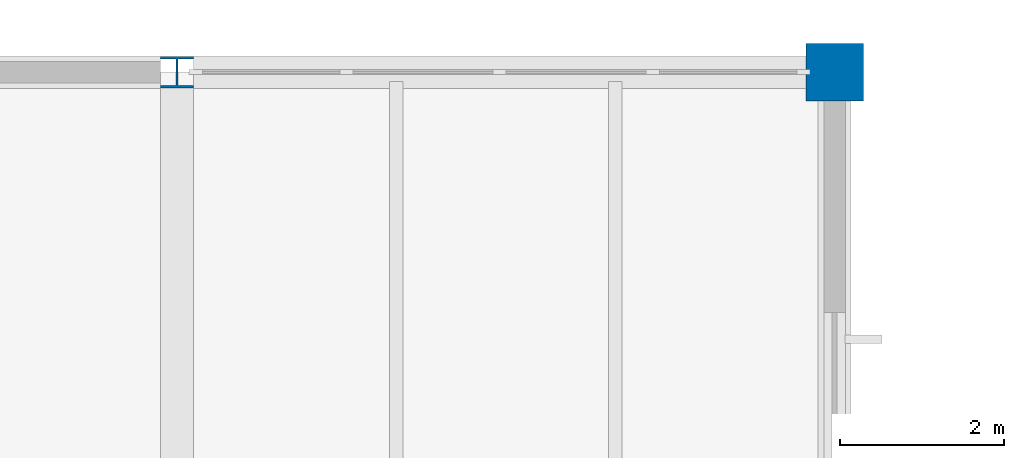
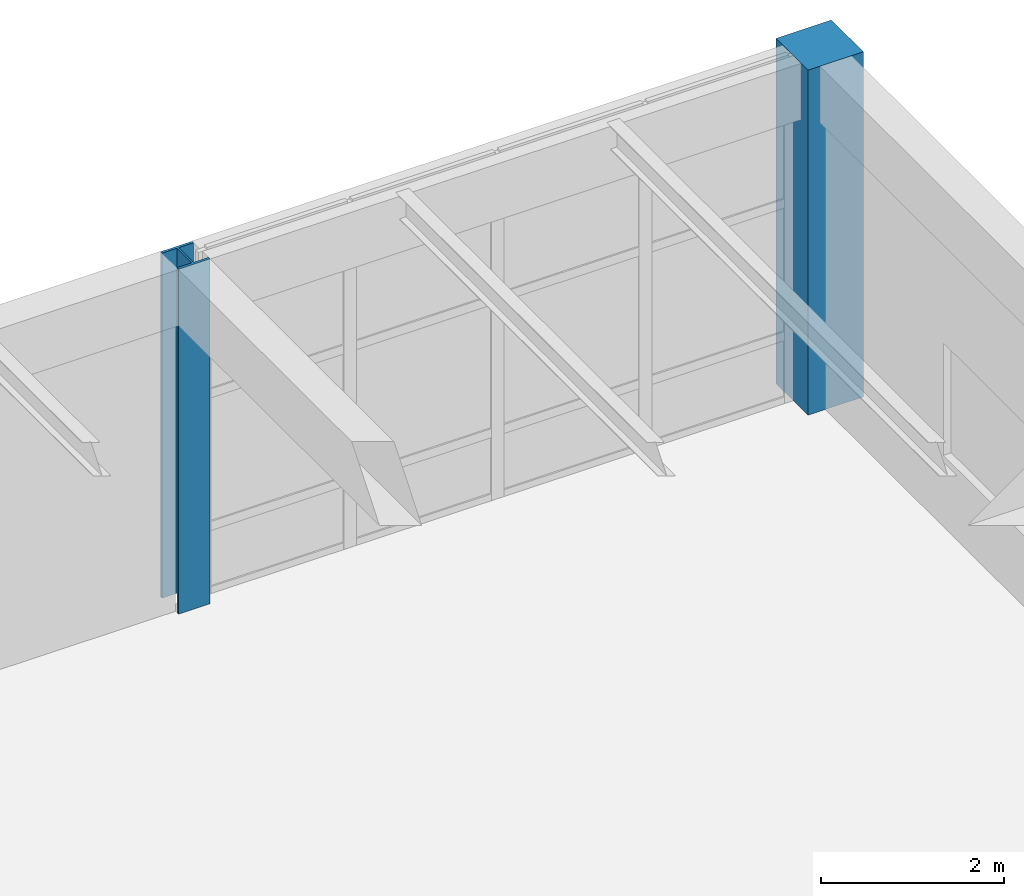
# One storey, part 8 of 60: 2 columns.
"""IFC4 building model written with IfcOpenShell, lengths in metres."""

from ifc_helpers import new_model, si_unit, direction, frame, origin, origin_2d, place, context, subcontext, project, spatial, rectangle, i_section, extrude, material, material_profile, profile_set, type_object, element, save


model = new_model("IFC4")

# Units and contexts
model_context = context("Model", 3, precision=1e-05, world=origin(), true_north=direction((0.0, 1.0)))
body_context = subcontext(model_context, "Body", "Model", "MODEL_VIEW")
ifc_project = project(units=[si_unit("LENGTHUNIT", "METRE"), si_unit("AREAUNIT", "SQUARE_METRE"), si_unit("VOLUMEUNIT", "CUBIC_METRE"), si_unit("PLANEANGLEUNIT", "RADIAN"), si_unit("MASSUNIT", "GRAM", prefix="KILO")], contexts=[model_context])

# Site, building, storey
site_placement = place(None, origin())
site = spatial("IfcSite", under=ifc_project, at=site_placement, CompositionType="ELEMENT")
building_placement = place(site_placement, origin())
building = spatial("IfcBuilding", under=site, at=building_placement, Name="Varnela Railside Interchange", CompositionType="ELEMENT")
storey_placement = place(building_placement, frame((0.0, 0.0, 6.300048828125)))
storey = spatial("IfcBuildingStorey", under=building, at=storey_placement, Name="L01", CompositionType="ELEMENT", Elevation=6.300048828125)

# Columns
ifc_material_1 = material(Name="Concrete C50", Category="concrete")
ifc_material_profile_1 = material_profile(ifc_material_1, rectangle(XDim=0.699951171875, YDim=0.699951171875, at=origin_2d()), Name="RC 700x700")
ifc_profile_set_1 = profile_set([ifc_material_profile_1], Name="Concrete C50")
column_type_1 = type_object("IfcColumnType", Name="Podium Gallery Column C-02", PredefinedType="COLUMN", material=ifc_profile_set_1)
column_1_placement = place(storey_placement, frame((140.0, 94.0, 0.0), z_axis=(0.0, 0.0, 1.0), x_axis=(1.0, 0.0, 0.0)))
element("IfcColumn", 1, at=column_1_placement, inside=storey, type_object=column_type_1, Name="Column C-02 (L01) (CL-0628)", PredefinedType="COLUMN", context=body_context, shape_type="SweptSolid", body=[
    extrude(rectangle(XDim=0.699951171875, YDim=0.699951171875, at=origin_2d()), origin(), (0.0, 0.0, 1.0), 4.599853515625),
])
ifc_material_2 = material(Name="Steel AR 350 (350 MPa)", Category="steel")
ifc_material_profile_2 = material_profile(ifc_material_2, i_section(OverallWidth=0.39794921875, OverallDepth=0.386962890625, WebThickness=0.02099609375, FlangeThickness=0.033203125, at=origin_2d()), Name="W360x262")
ifc_profile_set_2 = profile_set([ifc_material_profile_2], Name="Steel AR 350 (350 MPa)")
column_type_2 = type_object("IfcColumnType", Name="Superstructure Steel Col C-16", PredefinedType="COLUMN", material=ifc_profile_set_2)
column_2_placement = place(storey_placement, frame((132.0, 94.0, 0.0), z_axis=(0.0, 0.0, 1.0), x_axis=(1.0, 0.0, 0.0)))
element("IfcColumn", 2, at=column_2_placement, inside=storey, type_object=column_type_2, Name="Column C-16 (L01) (CL-0620)", PredefinedType="COLUMN", context=body_context, shape_type="SweptSolid", body=[
    extrude(i_section(OverallWidth=0.39794921875, OverallDepth=0.386962890625, WebThickness=0.02099609375, FlangeThickness=0.033203125, at=origin_2d()), origin(), (0.0, 0.0, 1.0), 4.599853515625),
])

save(model, "model.ifc")
